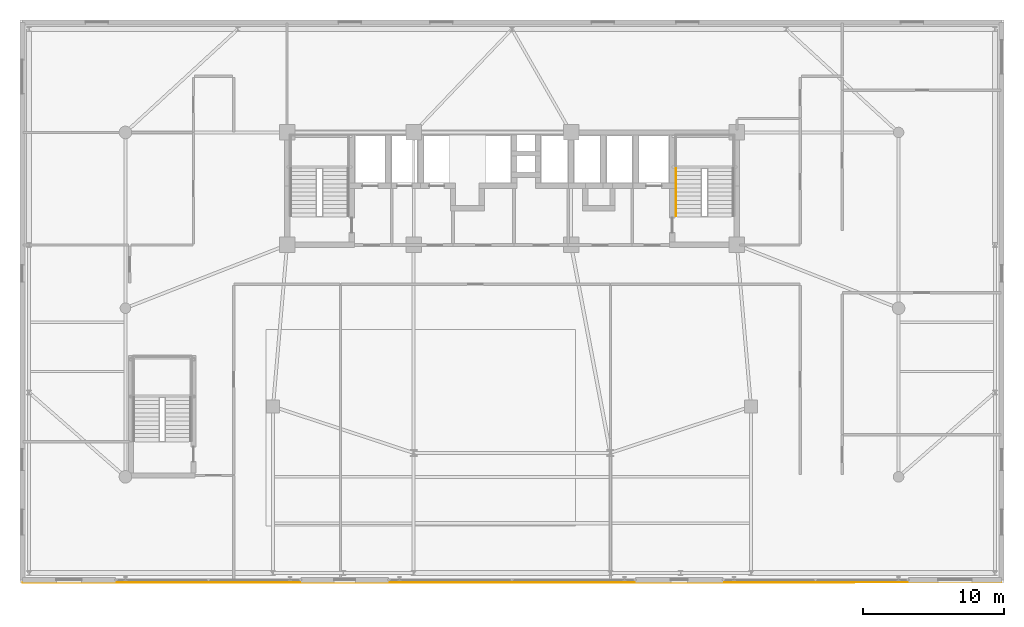
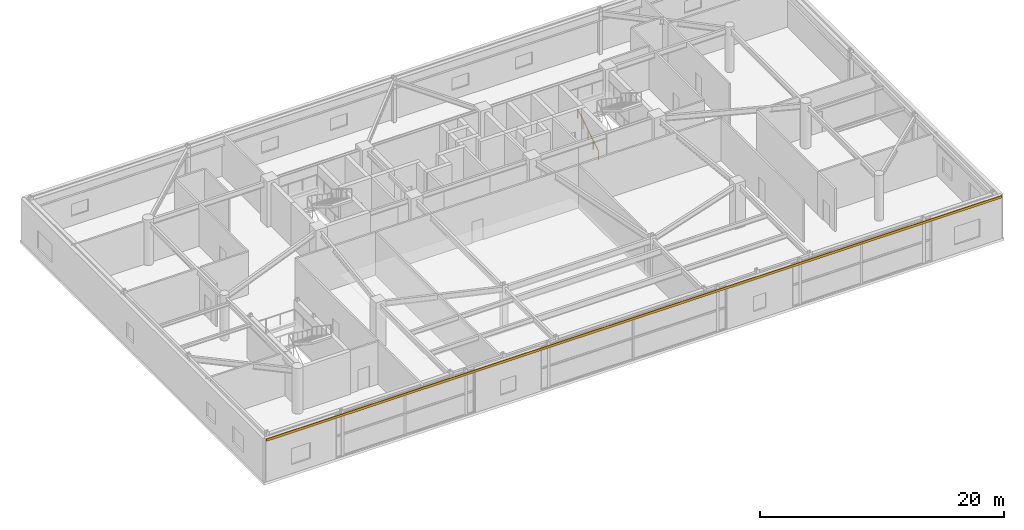
# One storey, part 25 of 26: 1 covering, 1 railing.
"""IFC4 building model written with IfcOpenShell, lengths in metres."""

from ifc_helpers import new_model, si_unit, direction, frame, origin, origin_2d, place, context, subcontext, project, spatial, rectangle, extrude, source, transform, mapped, material, layer, layer_set, type_object, element, save


model = new_model("IFC4")

# Units and contexts
model_context = context("Model", 3, precision=1e-05, world=origin(), true_north=direction((0.0, 1.0)))
body_context = subcontext(model_context, "Body", "Model", "MODEL_VIEW")
ifc_project = project(units=[si_unit("LENGTHUNIT", "METRE"), si_unit("AREAUNIT", "SQUARE_METRE"), si_unit("VOLUMEUNIT", "CUBIC_METRE"), si_unit("PLANEANGLEUNIT", "RADIAN"), si_unit("MASSUNIT", "GRAM", prefix="KILO")], contexts=[model_context])

# Site, building, storey
site_placement = place(None, origin())
site = spatial("IfcSite", under=ifc_project, at=site_placement, CompositionType="ELEMENT")
building_placement = place(site_placement, origin())
building = spatial("IfcBuilding", under=site, at=building_placement, Name="Taldren Reach Tower", CompositionType="ELEMENT")
storey_placement = place(building_placement, frame((0.0, 0.0, 8.39990234375)))
storey = spatial("IfcBuildingStorey", under=building, at=storey_placement, Name="L02", CompositionType="ELEMENT", Elevation=8.39990234375)

# Railing
ifc_material_1 = material(Name="Stainless Steel Gr 316", Category="steel")
ifc_layer_1 = layer(ifc_material_1, 0.048095703125)
ifc_layer_set_1 = layer_set([ifc_layer_1], Name="Stainless Steel Gr 316")
railing_type = type_object("IfcRailingType", Name="RL-STAIR-HR", PredefinedType="HANDRAIL", material=ifc_layer_set_1)
railing_placement = place(storey_placement, frame((46.669921875, 26.050048828125, 0.175048828125)))
element("IfcRailing", 1, at=railing_placement, inside=storey, type_object=railing_type, Name="Stair flight handrail ST2-L02-1", PredefinedType="HANDRAIL", context=body_context, shape_type="SweptSolid", body=[
    extrude(rectangle(XDim=0.047852, YDim=0.047852, at=origin_2d()), frame((0.0, 0.0, 0.89599609375), z_axis=(0.0, 0.849387911102, 0.527769056003), x_axis=(-1.0, 0.0, 0.0)), (0.0, 0.0, 1.0), 3.979248046875),
    extrude(rectangle(XDim=0.041992, YDim=0.041992, at=origin_2d()), origin(), (0.0, 0.0, 1.0), 0.871826171875),
    extrude(rectangle(XDim=0.041992, YDim=0.041992, at=origin_2d()), frame((0.0, 0.844970703125, 0.52490234375)), (0.0, 0.0, 1.0), 0.871826171875),
    extrude(rectangle(XDim=0.041992, YDim=0.041992, at=origin_2d()), frame((0.0, 1.68994140625, 1.050048828125)), (0.0, 0.0, 1.0), 0.871826171875),
    extrude(rectangle(XDim=0.041992, YDim=0.041992, at=origin_2d()), frame((0.0, 2.534912109375, 1.5751953125)), (0.0, 0.0, 1.0), 0.871826171875),
    extrude(rectangle(XDim=0.041992, YDim=0.041992, at=origin_2d()), frame((0.0, 3.3798828125, 2.10009765625)), (0.0, 0.0, 1.0), 0.871826171875),
])

# Covering
ifc_material_2 = material(Name="Pale Champagne Fluoropolymer Aluminium Spandrel Cladding", Category="aluminium")
ifc_layer_2 = layer(ifc_material_2, 0.06005859375)
ifc_layer_set_2 = layer_set([ifc_layer_2], Name="Pale Champagne Fluoropolymer Aluminium Spandrel Cladding")
covering_type = type_object("IfcCoveringType", Name="CV-CLAD-060", PredefinedType="CLADDING", material=ifc_layer_set_2)
shared_shape = source(origin(), body_context, "Body", "SweptSolid", [
    extrude(rectangle(XDim=69.60009765625, YDim=0.06005859375, at=origin_2d()), origin(), (0.0, 0.0, 1.0), 0.239990234375),
])
covering_placement = place(storey_placement, frame((35.0, -0.02001953125, 4.09033203125), z_axis=(0.0, 0.0, 1.0), x_axis=(1.0, 0.0, 0.0)))
element("IfcCovering", 2, at=covering_placement, inside=storey, type_object=covering_type, Name="Pale-metal spandrel cladding L02", PredefinedType="CLADDING", context=body_context, shape_type="MappedRepresentation", body=[
    mapped(shared_shape, transform((0.0, 0.0, 0.0), scale=1.0)),
])

save(model, "model.ifc")
